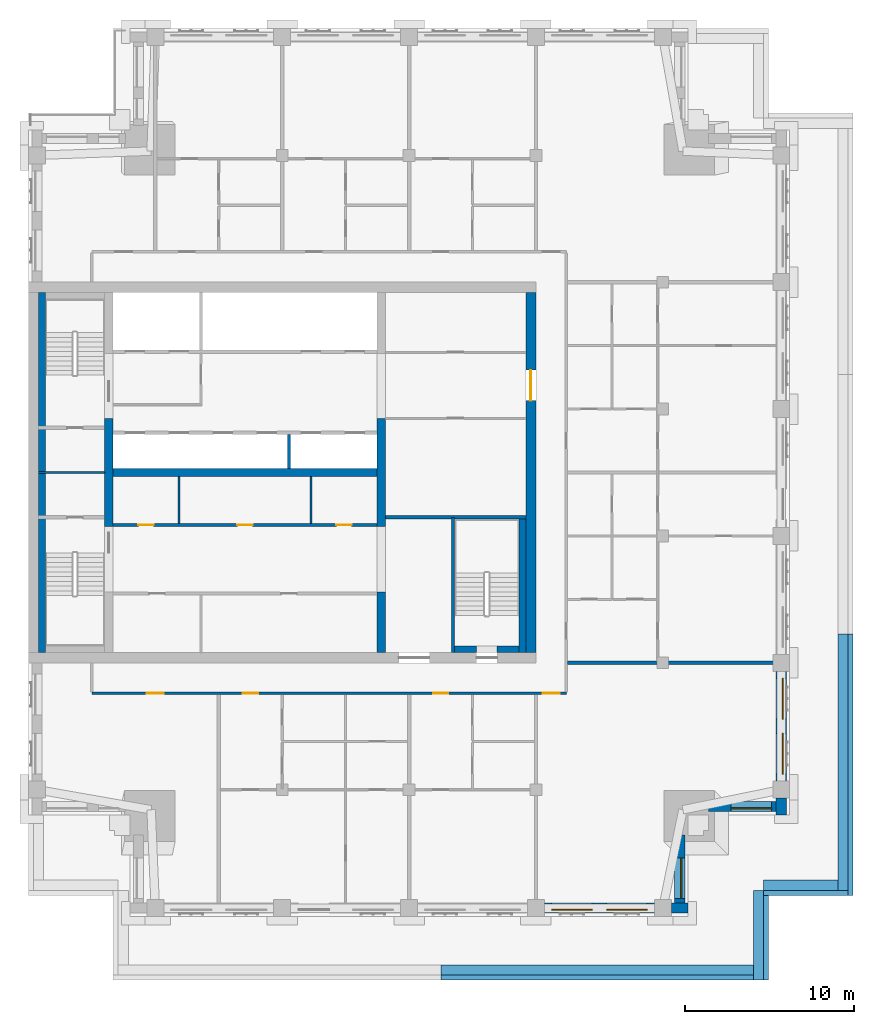
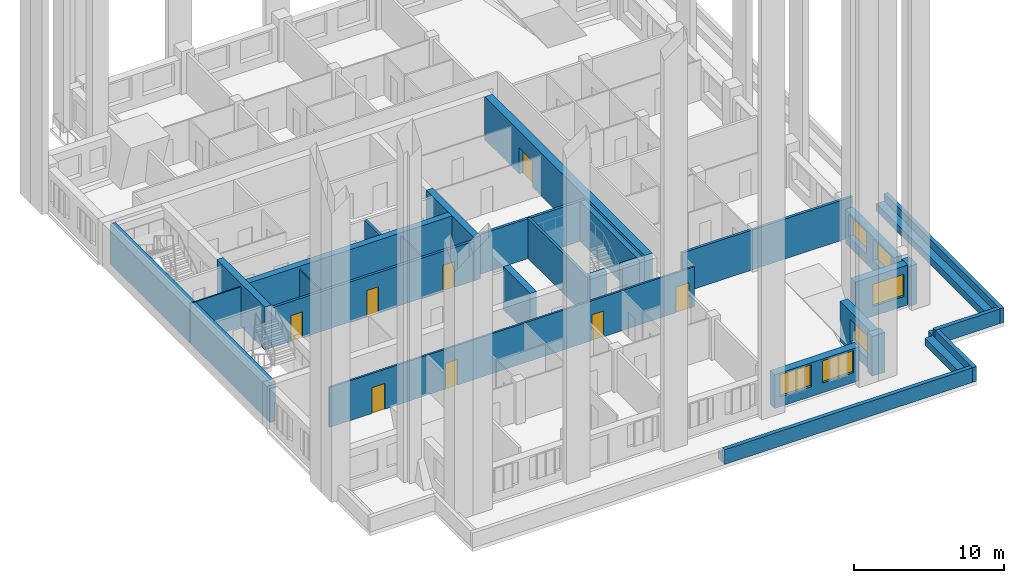
# One storey, part 4 of 12: 32 walls, 8 doors, 6 windows, 14 openings.
"""IFC4 building model written with IfcOpenShell, lengths in metres."""

from ifc_helpers import new_model, si_unit, direction, frame, frame_2d, origin, place, context, subcontext, project, spatial, rectangle, extrude, material, layer, layer_set, type_object, element, fill, save


model = new_model("IFC4")

# Units and contexts
model_context = context("Model", 3, precision=1e-05, world=origin(), true_north=direction((0.0, 1.0)))
body_context = subcontext(model_context, "Body", "Model", "MODEL_VIEW")
ifc_project = project(units=[si_unit("LENGTHUNIT", "METRE"), si_unit("AREAUNIT", "SQUARE_METRE"), si_unit("VOLUMEUNIT", "CUBIC_METRE"), si_unit("PLANEANGLEUNIT", "RADIAN"), si_unit("MASSUNIT", "GRAM", prefix="KILO")], contexts=[model_context])

# Site, building, storey
site_placement = place(None, origin())
site = spatial("IfcSite", under=ifc_project, at=site_placement, CompositionType="ELEMENT")
building_placement = place(site_placement, origin())
building = spatial("IfcBuilding", under=site, at=building_placement, Name="Tamorin Gate", CompositionType="ELEMENT")
storey_placement = place(building_placement, frame((0.0, 0.0, 266.199951171875)))
storey = spatial("IfcBuildingStorey", under=building, at=storey_placement, Name="L66", CompositionType="ELEMENT", Elevation=266.199951171875)

# Wall, openings, windows
ifc_material_1 = material(Name="Precast concrete C40/50", Category="concrete")
ifc_layer_1 = layer(ifc_material_1, 0.60009765625)
ifc_layer_set_1 = layer_set([ifc_layer_1], Name="Precast concrete C40/50")
wall_type_1 = type_object("IfcWallType", Name="Board-marked concrete facade panel 600", PredefinedType="SOLIDWALL", material=ifc_layer_set_1)
wall_1_placement = place(storey_placement, frame((60.5, 45.5, 0.0), z_axis=(0.0, 0.0, 1.0), x_axis=(1.0, 0.0, 0.0)))
wall_1 = element("IfcWall", 1, at=wall_1_placement, inside=storey, type_object=wall_type_1, Name="Facade panel", PredefinedType="SOLIDWALL", context=body_context, shape_type="SweptSolid", body=[
    extrude(rectangle(XDim=6.5, YDim=0.60009765625, at=frame_2d((3.25, 0.0))), origin(), (0.0, 0.0, 1.0), 2.75),
])
opening_1_placement = place(wall_1_placement, frame((0.425048828125, 0.0, 0.800048828125)))
opening_1 = element("IfcOpeningElement", 2, at=opening_1_placement, cuts=wall_1, Name="Opening WN1", PredefinedType="OPENING", context=body_context, shape_type="SweptSolid", body=[
    extrude(rectangle(XDim=2.39990234375, YDim=1.800048828125, at=frame_2d((1.199951171875, 0.89990234375))), frame((0.0, 0.31005859375, 0.0), z_axis=(0.0, -1.0, 0.0), x_axis=(1.0, 0.0, 0.0)), (0.0, 0.0, 1.0), 0.6201171875),
])
opening_2_placement = place(wall_1_placement, frame((3.675048828125, 0.0, 0.800048828125)))
opening_2 = element("IfcOpeningElement", 3, at=opening_2_placement, cuts=wall_1, Name="Opening WN1", PredefinedType="OPENING", context=body_context, shape_type="SweptSolid", body=[
    extrude(rectangle(XDim=2.39990234375, YDim=1.800048828125, at=frame_2d((1.199951171875, 0.89990234375))), frame((0.0, 0.31005859375, 0.0), z_axis=(0.0, -1.0, 0.0), x_axis=(1.0, 0.0, 0.0)), (0.0, 0.0, 1.0), 0.6201171875),
])
ifc_material_2 = material(Name="Clear glass in aluminium frame", Category="aluminium")
window_type = type_object("IfcWindowType", Name="Deep-set window 2400x1800", PartitioningType="SINGLE_PANEL", PredefinedType="WINDOW", material=ifc_material_2)
window_1_placement = place(opening_1_placement, origin())
window_1 = element("IfcWindow", 4, at=window_1_placement, inside=storey, type_object=window_type, Name="Deep-set window", OverallHeight=1.800048828125, OverallWidth=2.39990234375, PartitioningType="SINGLE_PANEL", PredefinedType="WINDOW", context=body_context, shape_type="SweptSolid", body=[
    extrude(rectangle(XDim=2.39990234375, YDim=1.800048828125, at=frame_2d((1.199951171875, 0.89990234375))), frame((0.0, -0.070068359375, 0.0), z_axis=(0.0, -1.0, 0.0), x_axis=(1.0, 0.0, 0.0)), (0.0, 0.0, 1.0), 0.06005859375),
])
fill(opening_1, window_1)
window_2_placement = place(opening_2_placement, origin())
window_2 = element("IfcWindow", 5, at=window_2_placement, inside=storey, type_object=window_type, Name="Deep-set window", OverallHeight=1.800048828125, OverallWidth=2.39990234375, PartitioningType="SINGLE_PANEL", PredefinedType="WINDOW", context=body_context, shape_type="SweptSolid", body=[
    extrude(rectangle(XDim=2.39990234375, YDim=1.800048828125, at=frame_2d((1.199951171875, 0.89990234375))), frame((0.0, -0.070068359375, 0.0), z_axis=(0.0, -1.0, 0.0), x_axis=(1.0, 0.0, 0.0)), (0.0, 0.0, 1.0), 0.06005859375),
])
fill(opening_2, window_2)

# Wall
wall_2_placement = place(storey_placement, frame((68.0, 45.5, 0.0), z_axis=(0.0, 0.0, 1.0), x_axis=(1.0, 0.0, 0.0)))
element("IfcWall", 6, at=wall_2_placement, inside=storey, type_object=wall_type_1, Name="Facade panel", PredefinedType="SOLIDWALL", context=body_context, shape_type="SweptSolid", body=[
    extrude(rectangle(XDim=1.0, YDim=0.60009765625, at=frame_2d((0.5, 0.0))), origin(), (0.0, 0.0, 1.0), 3.25),
])

# Wall, opening, window
wall_3_placement = place(storey_placement, frame((68.5, 45.800048828125, 0.0), z_axis=(0.0, 0.0, 1.0), x_axis=(0.0, 1.0, 0.0)))
wall_3 = element("IfcWall", 7, at=wall_3_placement, inside=storey, type_object=wall_type_1, Name="Facade panel", PredefinedType="SOLIDWALL", context=body_context, shape_type="SweptSolid", body=[
    extrude(rectangle(XDim=4.012451171875, YDim=0.60009765625, at=frame_2d((2.00634765625, 0.0))), origin(), (0.0, 0.0, 1.0), 3.25),
])
opening_3_placement = place(wall_3_placement, frame((0.27490234375, 0.0, 0.800048828125)))
opening_3 = element("IfcOpeningElement", 8, at=opening_3_placement, cuts=wall_3, Name="Opening WN1", PredefinedType="OPENING", context=body_context, shape_type="SweptSolid", body=[
    extrude(rectangle(XDim=2.39990234375, YDim=1.800048828125, at=frame_2d((1.199951171875, 0.89990234375))), frame((0.0, 0.31005859375, 0.0), z_axis=(0.0, -1.0, 0.0), x_axis=(1.0, 0.0, 0.0)), (0.0, 0.0, 1.0), 0.6201171875),
])
window_3_placement = place(opening_3_placement, origin())
window_3 = element("IfcWindow", 9, at=window_3_placement, inside=storey, type_object=window_type, Name="Deep-set window", OverallHeight=1.800048828125, OverallWidth=2.39990234375, PartitioningType="SINGLE_PANEL", PredefinedType="WINDOW", context=body_context, shape_type="SweptSolid", body=[
    extrude(rectangle(XDim=2.39990234375, YDim=1.800048828125, at=frame_2d((1.199951171875, 0.89990234375))), frame((0.0, -0.070068359375, 0.0), z_axis=(0.0, -1.0, 0.0), x_axis=(1.0, 0.0, 0.0)), (0.0, 0.0, 1.0), 0.06005859375),
])
fill(opening_3, window_3)

wall_4_placement = place(storey_placement, frame((70.1875, 51.5, 0.0), z_axis=(0.0, 0.0, 1.0), x_axis=(1.0, 0.0, 0.0)))
wall_4 = element("IfcWall", 10, at=wall_4_placement, inside=storey, type_object=wall_type_1, Name="Facade panel", PredefinedType="SOLIDWALL", context=body_context, shape_type="SweptSolid", body=[
    extrude(rectangle(XDim=4.012451171875, YDim=0.60009765625, at=frame_2d((2.00634765625, 0.0))), origin(), (0.0, 0.0, 1.0), 3.25),
])
opening_4_placement = place(wall_4_placement, frame((1.33740234375, 0.0, 0.800048828125)))
opening_4 = element("IfcOpeningElement", 11, at=opening_4_placement, cuts=wall_4, Name="Opening WN1", PredefinedType="OPENING", context=body_context, shape_type="SweptSolid", body=[
    extrude(rectangle(XDim=2.39990234375, YDim=1.800048828125, at=frame_2d((1.199951171875, 0.89990234375))), frame((0.0, 0.31005859375, 0.0), z_axis=(0.0, -1.0, 0.0), x_axis=(1.0, 0.0, 0.0)), (0.0, 0.0, 1.0), 0.6201171875),
])
window_4_placement = place(opening_4_placement, origin())
window_4 = element("IfcWindow", 12, at=window_4_placement, inside=storey, type_object=window_type, Name="Deep-set window", OverallHeight=1.800048828125, OverallWidth=2.39990234375, PartitioningType="SINGLE_PANEL", PredefinedType="WINDOW", context=body_context, shape_type="SweptSolid", body=[
    extrude(rectangle(XDim=2.39990234375, YDim=1.800048828125, at=frame_2d((1.199951171875, 0.89990234375))), frame((0.0, -0.070068359375, 0.0), z_axis=(0.0, -1.0, 0.0), x_axis=(1.0, 0.0, 0.0)), (0.0, 0.0, 1.0), 0.06005859375),
])
fill(opening_4, window_4)

# Wall
wall_5_placement = place(storey_placement, frame((74.5, 51.0, 0.0), z_axis=(0.0, 0.0, 1.0), x_axis=(0.0, 1.0, 0.0)))
element("IfcWall", 13, at=wall_5_placement, inside=storey, type_object=wall_type_1, Name="Facade panel", PredefinedType="SOLIDWALL", context=body_context, shape_type="SweptSolid", body=[
    extrude(rectangle(XDim=1.0, YDim=0.60009765625, at=frame_2d((0.5, 0.0))), origin(), (0.0, 0.0, 1.0), 3.25),
])

# Wall, openings, windows
wall_6_placement = place(storey_placement, frame((74.5, 53.0, 0.0), z_axis=(0.0, 0.0, 1.0), x_axis=(0.0, 1.0, 0.0)))
wall_6 = element("IfcWall", 14, at=wall_6_placement, inside=storey, type_object=wall_type_1, Name="Facade panel", PredefinedType="SOLIDWALL", context=body_context, shape_type="SweptSolid", body=[
    extrude(rectangle(XDim=6.5, YDim=0.60009765625, at=frame_2d((3.25, 0.0))), origin(), (0.0, 0.0, 1.0), 2.75),
])
opening_5_placement = place(wall_6_placement, frame((0.425048828125, 0.0, 0.800048828125)))
opening_5 = element("IfcOpeningElement", 15, at=opening_5_placement, cuts=wall_6, Name="Opening WN1", PredefinedType="OPENING", context=body_context, shape_type="SweptSolid", body=[
    extrude(rectangle(XDim=2.39990234375, YDim=1.800048828125, at=frame_2d((1.199951171875, 0.89990234375))), frame((0.0, 0.31005859375, 0.0), z_axis=(0.0, -1.0, 0.0), x_axis=(1.0, 0.0, 0.0)), (0.0, 0.0, 1.0), 0.6201171875),
])
opening_6_placement = place(wall_6_placement, frame((3.675048828125, 0.0, 0.800048828125)))
opening_6 = element("IfcOpeningElement", 16, at=opening_6_placement, cuts=wall_6, Name="Opening WN1", PredefinedType="OPENING", context=body_context, shape_type="SweptSolid", body=[
    extrude(rectangle(XDim=2.39990234375, YDim=1.800048828125, at=frame_2d((1.199951171875, 0.89990234375))), frame((0.0, 0.31005859375, 0.0), z_axis=(0.0, -1.0, 0.0), x_axis=(1.0, 0.0, 0.0)), (0.0, 0.0, 1.0), 0.6201171875),
])
window_5_placement = place(opening_5_placement, origin())
window_5 = element("IfcWindow", 17, at=window_5_placement, inside=storey, type_object=window_type, Name="Deep-set window", OverallHeight=1.800048828125, OverallWidth=2.39990234375, PartitioningType="SINGLE_PANEL", PredefinedType="WINDOW", context=body_context, shape_type="SweptSolid", body=[
    extrude(rectangle(XDim=2.39990234375, YDim=1.800048828125, at=frame_2d((1.199951171875, 0.89990234375))), frame((0.0, -0.070068359375, 0.0), z_axis=(0.0, -1.0, 0.0), x_axis=(1.0, 0.0, 0.0)), (0.0, 0.0, 1.0), 0.06005859375),
])
fill(opening_5, window_5)
window_6_placement = place(opening_6_placement, origin())
window_6 = element("IfcWindow", 18, at=window_6_placement, inside=storey, type_object=window_type, Name="Deep-set window", OverallHeight=1.800048828125, OverallWidth=2.39990234375, PartitioningType="SINGLE_PANEL", PredefinedType="WINDOW", context=body_context, shape_type="SweptSolid", body=[
    extrude(rectangle(XDim=2.39990234375, YDim=1.800048828125, at=frame_2d((1.199951171875, 0.89990234375))), frame((0.0, -0.070068359375, 0.0), z_axis=(0.0, -1.0, 0.0), x_axis=(1.0, 0.0, 0.0)), (0.0, 0.0, 1.0), 0.06005859375),
])
fill(opening_6, window_6)

# Wall, openings, doors
ifc_material_3 = material(Name="Gypsum board partition")
ifc_layer_2 = layer(ifc_material_3, 0.14990234375)
ifc_layer_set_2 = layer_set([ifc_layer_2], Name="Corridor wall 150")
wall_type_2 = type_object("IfcWallType", Name="Corridor wall 150", PredefinedType="PARTITIONING", material=ifc_layer_set_2)
wall_7_placement = place(storey_placement, frame((33.75, 58.199951171875, 0.0), z_axis=(0.0, 0.0, 1.0), x_axis=(1.0, 0.0, 0.0)))
wall_7 = element("IfcWall", 19, at=wall_7_placement, inside=storey, type_object=wall_type_2, Name="Corridor wall 150", PredefinedType="PARTITIONING", context=body_context, shape_type="SweptSolid", body=[
    extrude(rectangle(XDim=28.050048828125, YDim=0.14990234375, at=frame_2d((14.02490234375, 0.0))), origin(), (0.0, 0.0, 1.0), 3.25),
])
opening_7_placement = place(wall_7_placement, frame((3.25, 0.0, 0.0)))
opening_7 = element("IfcOpeningElement", 20, at=opening_7_placement, cuts=wall_7, Name="Opening DTF6001", PredefinedType="OPENING", context=body_context, shape_type="SweptSolid", body=[
    extrude(rectangle(XDim=1.0, YDim=2.10009765625, at=frame_2d((0.5, 1.050048828125))), frame((0.0, 0.0849609375, 0.0), z_axis=(0.0, -1.0, 0.0), x_axis=(1.0, 0.0, 0.0)), (0.0, 0.0, 1.0), 0.169921875),
])
opening_8_placement = place(wall_7_placement, frame((8.925048828125, 0.0, 0.0)))
opening_8 = element("IfcOpeningElement", 21, at=opening_8_placement, cuts=wall_7, Name="Opening DTF6002", PredefinedType="OPENING", context=body_context, shape_type="SweptSolid", body=[
    extrude(rectangle(XDim=0.89990234375, YDim=2.10009765625, at=frame_2d((0.449951171875, 1.050048828125))), frame((0.0, 0.0849609375, 0.0), z_axis=(0.0, -1.0, 0.0), x_axis=(1.0, 0.0, 0.0)), (0.0, 0.0, 1.0), 0.169921875),
])
opening_9_placement = place(wall_7_placement, frame((20.175048828125, 0.0, 0.0)))
opening_9 = element("IfcOpeningElement", 22, at=opening_9_placement, cuts=wall_7, Name="Opening DTF6009", PredefinedType="OPENING", context=body_context, shape_type="SweptSolid", body=[
    extrude(rectangle(XDim=0.89990234375, YDim=2.10009765625, at=frame_2d((0.449951171875, 1.050048828125))), frame((0.0, 0.0849609375, 0.0), z_axis=(0.0, -1.0, 0.0), x_axis=(1.0, 0.0, 0.0)), (0.0, 0.0, 1.0), 0.169921875),
])
opening_10_placement = place(wall_7_placement, frame((26.64990234375, 0.0, 0.0)))
opening_10 = element("IfcOpeningElement", 23, at=opening_10_placement, cuts=wall_7, Name="Opening DTF6013", PredefinedType="OPENING", context=body_context, shape_type="SweptSolid", body=[
    extrude(rectangle(XDim=1.0, YDim=2.10009765625, at=frame_2d((0.5, 1.050048828125))), frame((0.0, 0.0849609375, 0.0), z_axis=(0.0, -1.0, 0.0), x_axis=(1.0, 0.0, 0.0)), (0.0, 0.0, 1.0), 0.169921875),
])
ifc_material_4 = material(Name="Timber door leaf", Category="wood")
door_type_1 = type_object("IfcDoorType", Name="Door 1000 x 2100 FD30S", OperationType="NOTDEFINED", PredefinedType="DOOR", material=ifc_material_4)
door_1_placement = place(opening_7_placement, origin())
door_1 = element("IfcDoor", 24, at=door_1_placement, inside=storey, type_object=door_type_1, Name="Door DTF6001", OperationType="SINGLE_SWING_RIGHT", OverallHeight=2.10009765625, OverallWidth=1.0, PredefinedType="DOOR", context=body_context, shape_type="SweptSolid", body=[
    extrude(rectangle(XDim=1.0, YDim=2.10009765625, at=frame_2d((0.5, 1.050048828125))), frame((0.0, 0.02490234375, 0.0), z_axis=(0.0, -1.0, 0.0), x_axis=(1.0, 0.0, 0.0)), (0.0, 0.0, 1.0), 0.050048828125),
])
fill(opening_7, door_1)
door_2_placement = place(opening_10_placement, origin())
door_2 = element("IfcDoor", 25, at=door_2_placement, inside=storey, type_object=door_type_1, Name="Door DTF6013", OperationType="SINGLE_SWING_RIGHT", OverallHeight=2.10009765625, OverallWidth=1.0, PredefinedType="DOOR", context=body_context, shape_type="SweptSolid", body=[
    extrude(rectangle(XDim=1.0, YDim=2.10009765625, at=frame_2d((0.5, 1.050048828125))), frame((0.0, 0.02490234375, 0.0), z_axis=(0.0, -1.0, 0.0), x_axis=(1.0, 0.0, 0.0)), (0.0, 0.0, 1.0), 0.050048828125),
])
fill(opening_10, door_2)
door_type_2 = type_object("IfcDoorType", Name="Door 900 x 2100 FD30S", OperationType="NOTDEFINED", PredefinedType="DOOR", material=ifc_material_4)
door_3_placement = place(opening_8_placement, origin())
door_3 = element("IfcDoor", 26, at=door_3_placement, inside=storey, type_object=door_type_2, Name="Door DTF6002", OperationType="SINGLE_SWING_RIGHT", OverallHeight=2.10009765625, OverallWidth=0.89990234375, PredefinedType="DOOR", context=body_context, shape_type="SweptSolid", body=[
    extrude(rectangle(XDim=0.89990234375, YDim=2.10009765625, at=frame_2d((0.449951171875, 1.050048828125))), frame((0.0, 0.02490234375, 0.0), z_axis=(0.0, -1.0, 0.0), x_axis=(1.0, 0.0, 0.0)), (0.0, 0.0, 1.0), 0.050048828125),
])
fill(opening_8, door_3)
door_4_placement = place(opening_9_placement, origin())
door_4 = element("IfcDoor", 27, at=door_4_placement, inside=storey, type_object=door_type_2, Name="Door DTF6009", OperationType="SINGLE_SWING_RIGHT", OverallHeight=2.10009765625, OverallWidth=0.89990234375, PredefinedType="DOOR", context=body_context, shape_type="SweptSolid", body=[
    extrude(rectangle(XDim=0.89990234375, YDim=2.10009765625, at=frame_2d((0.449951171875, 1.050048828125))), frame((0.0, 0.02490234375, 0.0), z_axis=(0.0, -1.0, 0.0), x_axis=(1.0, 0.0, 0.0)), (0.0, 0.0, 1.0), 0.050048828125),
])
fill(opening_9, door_4)

# Walls
ifc_layer_3 = layer(ifc_material_3, 0.199951171875)
ifc_layer_set_3 = layer_set([ifc_layer_3], Name="Demising wall 200")
wall_type_3 = type_object("IfcWallType", Name="Demising wall 200", PredefinedType="PARTITIONING", material=ifc_layer_set_3)
wall_8_placement = place(storey_placement, frame((61.875, 60.0, 0.0), z_axis=(0.0, 0.0, 1.0), x_axis=(1.0, 0.0, 0.0)))
element("IfcWall", 28, at=wall_8_placement, inside=storey, type_object=wall_type_3, Name="Demising wall 200", PredefinedType="PARTITIONING", context=body_context, shape_type="SweptSolid", body=[
    extrude(rectangle(XDim=13.125, YDim=0.199951171875, at=frame_2d((6.5625, 0.0))), origin(), (0.0, 0.0, 1.0), 3.25),
])
ifc_material_5 = material(Name="Concrete C32/40", Category="concrete")
ifc_layer_4 = layer(ifc_material_5, 0.199951171875)
ifc_layer_set_4 = layer_set([ifc_layer_4], Name="Lift shaft wall 200 EI 120")
wall_type_4 = type_object("IfcWallType", Name="Lift shaft wall 200 EI 120", PredefinedType="SOLIDWALL", material=ifc_layer_set_4)
wall_9_placement = place(storey_placement, frame((45.39990234375, 71.5, 0.0), z_axis=(0.0, 0.0, 1.0), x_axis=(0.0, 1.0, 0.0)))
element("IfcWall", 29, at=wall_9_placement, inside=storey, type_object=wall_type_4, Name="Lift shaft wall", PredefinedType="SOLIDWALL", context=body_context, shape_type="SweptSolid", body=[
    extrude(rectangle(XDim=2.0, YDim=0.199951171875, at=frame_2d((1.0, 0.0))), origin(), (0.0, 0.0, 1.0), 3.5),
])
ifc_material_6 = material(Name="Concrete C50/60", Category="concrete")
ifc_layer_5 = layer(ifc_material_6, 0.5)
ifc_layer_set_5 = layer_set([ifc_layer_5], Name="RC core internal wall 500 C50/60")
wall_type_5 = type_object("IfcWallType", Name="RC core internal wall 500 C50/60", PredefinedType="SHEAR", material=ifc_layer_set_5)
wall_10_placement = place(storey_placement, frame((35.0, 71.25, 0.0), z_axis=(0.0, 0.0, 1.0), x_axis=(1.0, 0.0, 0.0)))
element("IfcWall", 30, at=wall_10_placement, inside=storey, type_object=wall_type_5, Name="Core spine wall L66", PredefinedType="SHEAR", context=body_context, shape_type="SweptSolid", body=[
    extrude(rectangle(XDim=15.60009765625, YDim=0.5, at=frame_2d((7.800048828125, 0.0))), origin(), (0.0, 0.0, 1.0), 3.5),
])
wall_11_placement = place(storey_placement, frame((34.75, 68.050048828125, 0.0), z_axis=(0.0, 0.0, 1.0), x_axis=(0.0, 1.0, 0.0)))
element("IfcWall", 31, at=wall_11_placement, inside=storey, type_object=wall_type_5, Name="Core cross wall L66", PredefinedType="SHEAR", context=body_context, shape_type="SweptSolid", body=[
    extrude(rectangle(XDim=6.39990234375, YDim=0.5, at=frame_2d((3.199951171875, 0.0))), origin(), (0.0, 0.0, 1.0), 3.5),
])
wall_12_placement = place(storey_placement, frame((50.85009765625, 60.60009765625, 0.0), z_axis=(0.0, 0.0, 1.0), x_axis=(0.0, 1.0, 0.0)))
element("IfcWall", 32, at=wall_12_placement, inside=storey, type_object=wall_type_5, Name="Core cross wall L66", PredefinedType="SHEAR", context=body_context, shape_type="SweptSolid", body=[
    extrude(rectangle(XDim=3.599853515625, YDim=0.5, at=frame_2d((1.7998046875, 0.0))), origin(), (0.0, 0.0, 1.0), 3.5),
])
wall_13_placement = place(storey_placement, frame((50.85009765625, 68.050048828125, 0.0), z_axis=(0.0, 0.0, 1.0), x_axis=(0.0, 1.0, 0.0)))
element("IfcWall", 33, at=wall_13_placement, inside=storey, type_object=wall_type_5, Name="Core cross wall L66", PredefinedType="SHEAR", context=body_context, shape_type="SweptSolid", body=[
    extrude(rectangle(XDim=6.39990234375, YDim=0.5, at=frame_2d((3.199951171875, 0.0))), origin(), (0.0, 0.0, 1.0), 3.5),
])

# Wall, opening, door
ifc_layer_6 = layer(ifc_material_6, 0.60009765625)
ifc_layer_set_6 = layer_set([ifc_layer_6], Name="RC core wall 600 C50/60")
wall_type_6 = type_object("IfcWallType", Name="RC core wall 600 C50/60", PredefinedType="SHEAR", material=ifc_layer_set_6)
wall_14_placement = place(storey_placement, frame((59.699951171875, 60.60009765625, 0.0), z_axis=(0.0, 0.0, 1.0), x_axis=(0.0, 1.0, 0.0)))
wall_14 = element("IfcWall", 34, at=wall_14_placement, inside=storey, type_object=wall_type_6, Name="Core wall L66", PredefinedType="SHEAR", context=body_context, shape_type="SweptSolid", body=[
    extrude(rectangle(XDim=21.2998046875, YDim=0.60009765625, at=frame_2d((10.64990234375, 0.0))), origin(), (0.0, 0.0, 1.0), 3.5),
])
opening_11_placement = place(wall_14_placement, frame((14.89990234375, 0.0, 0.0)))
opening_11 = element("IfcOpeningElement", 35, at=opening_11_placement, cuts=wall_14, Name="Opening DE1", PredefinedType="OPENING", context=body_context, shape_type="SweptSolid", body=[
    extrude(rectangle(XDim=1.800048828125, YDim=2.10009765625, at=frame_2d((0.89990234375, 1.050048828125))), frame((0.0, 0.31005859375, 0.0), z_axis=(0.0, -1.0, 0.0), x_axis=(1.0, 0.0, 0.0)), (0.0, 0.0, 1.0), 0.6201171875),
])
ifc_material_7 = material(Name="Steel fire door", Category="steel")
door_type_3 = type_object("IfcDoorType", Name="Lobby exit double door 1800 x 2100 EI 60", OperationType="DOUBLE_DOOR_SINGLE_SWING", PredefinedType="DOOR", material=ifc_material_7)
door_5_placement = place(opening_11_placement, origin())
door_5 = element("IfcDoor", 36, at=door_5_placement, inside=storey, type_object=door_type_3, Name="Lift lobby B exit door", OperationType="DOUBLE_DOOR_SINGLE_SWING", OverallHeight=2.10009765625, OverallWidth=1.800048828125, PredefinedType="DOOR", context=body_context, shape_type="SweptSolid", body=[
    extrude(rectangle(XDim=1.800048828125, YDim=2.10009765625, at=frame_2d((0.89990234375, 1.050048828125))), frame((0.0, 0.02490234375, 0.0), z_axis=(0.0, -1.0, 0.0), x_axis=(1.0, 0.0, 0.0)), (0.0, 0.0, 1.0), 0.050048828125),
])
fill(opening_11, door_5)

# Wall
ifc_material_8 = material(Name="Fire-rated gypsum board partition")
ifc_layer_7 = layer(ifc_material_8, 0.10009765625)
ifc_layer_set_7 = layer_set([ifc_layer_7], Name="Riser partition 100 EI 120")
wall_type_7 = type_object("IfcWallType", Name="Riser partition 100 EI 120", PredefinedType="PARTITIONING", material=ifc_layer_set_7)
wall_15_placement = place(storey_placement, frame((30.60009765625, 71.25, 0.0), z_axis=(0.0, 0.0, 1.0), x_axis=(1.0, 0.0, 0.0)))
element("IfcWall", 37, at=wall_15_placement, inside=storey, type_object=wall_type_7, Name="Riser partition", PredefinedType="PARTITIONING", context=body_context, shape_type="SweptSolid", body=[
    extrude(rectangle(XDim=3.89990234375, YDim=0.10009765625, at=frame_2d((1.949951171875, 0.0))), origin(), (0.0, 0.0, 1.0), 3.25),
])

# Wall, openings, doors
ifc_layer_8 = layer(ifc_material_3, 0.199951171875)
ifc_layer_set_8 = layer_set([ifc_layer_8], Name="Service room face wall 200 EI 60")
wall_type_8 = type_object("IfcWallType", Name="Service room face wall 200 EI 60", PredefinedType="PARTITIONING", material=ifc_layer_set_8)
wall_16_placement = place(storey_placement, frame((35.0, 68.14990234375, 0.0), z_axis=(0.0, 0.0, 1.0), x_axis=(1.0, 0.0, 0.0)))
wall_16 = element("IfcWall", 38, at=wall_16_placement, inside=storey, type_object=wall_type_8, Name="Service room face wall", PredefinedType="PARTITIONING", context=body_context, shape_type="SweptSolid", body=[
    extrude(rectangle(XDim=15.60009765625, YDim=0.199951171875, at=frame_2d((7.800048828125, 0.0))), origin(), (0.0, 0.0, 1.0), 3.25),
])
opening_12_placement = place(wall_16_placement, frame((1.5, 0.0, 0.0)))
opening_12 = element("IfcOpeningElement", 39, at=opening_12_placement, cuts=wall_16, Name="Opening DK1", PredefinedType="OPENING", context=body_context, shape_type="SweptSolid", body=[
    extrude(rectangle(XDim=0.89990234375, YDim=2.10009765625, at=frame_2d((0.449951171875, 1.050048828125))), frame((0.0, 0.10986328125, 0.0), z_axis=(0.0, -1.0, 0.0), x_axis=(1.0, 0.0, 0.0)), (0.0, 0.0, 1.0), 0.219970703125),
])
opening_13_placement = place(wall_16_placement, frame((7.35009765625, 0.0, 0.0)))
opening_13 = element("IfcOpeningElement", 40, at=opening_13_placement, cuts=wall_16, Name="Opening DK1", PredefinedType="OPENING", context=body_context, shape_type="SweptSolid", body=[
    extrude(rectangle(XDim=0.89990234375, YDim=2.10009765625, at=frame_2d((0.449951171875, 1.050048828125))), frame((0.0, 0.10986328125, 0.0), z_axis=(0.0, -1.0, 0.0), x_axis=(1.0, 0.0, 0.0)), (0.0, 0.0, 1.0), 0.219970703125),
])
opening_14_placement = place(wall_16_placement, frame((13.199951171875, 0.0, 0.0)))
opening_14 = element("IfcOpeningElement", 41, at=opening_14_placement, cuts=wall_16, Name="Opening DK1", PredefinedType="OPENING", context=body_context, shape_type="SweptSolid", body=[
    extrude(rectangle(XDim=0.89990234375, YDim=2.10009765625, at=frame_2d((0.449951171875, 1.050048828125))), frame((0.0, 0.10986328125, 0.0), z_axis=(0.0, -1.0, 0.0), x_axis=(1.0, 0.0, 0.0)), (0.0, 0.0, 1.0), 0.219970703125),
])
ifc_material_9 = material(Name="Timber fire door", Category="wood")
door_type_4 = type_object("IfcDoorType", Name="Service room door 900 x 2100 EI 60", OperationType="SINGLE_SWING_LEFT", PredefinedType="DOOR", material=ifc_material_9)
door_6_placement = place(opening_12_placement, origin())
door_6 = element("IfcDoor", 42, at=door_6_placement, inside=storey, type_object=door_type_4, Name="Door Cleaner's store", OperationType="SINGLE_SWING_RIGHT", OverallHeight=2.10009765625, OverallWidth=0.89990234375, PredefinedType="DOOR", context=body_context, shape_type="SweptSolid", body=[
    extrude(rectangle(XDim=0.89990234375, YDim=2.10009765625, at=frame_2d((0.449951171875, 1.050048828125))), frame((0.0, 0.02490234375, 0.0), z_axis=(0.0, -1.0, 0.0), x_axis=(1.0, 0.0, 0.0)), (0.0, 0.0, 1.0), 0.050048828125),
])
fill(opening_12, door_6)
door_7_placement = place(opening_13_placement, origin())
door_7 = element("IfcDoor", 43, at=door_7_placement, inside=storey, type_object=door_type_4, Name="Door Electrical and IT room", OperationType="SINGLE_SWING_LEFT", OverallHeight=2.10009765625, OverallWidth=0.89990234375, PredefinedType="DOOR", context=body_context, shape_type="SweptSolid", body=[
    extrude(rectangle(XDim=0.89990234375, YDim=2.10009765625, at=frame_2d((0.449951171875, 1.050048828125))), frame((0.0, 0.02490234375, 0.0), z_axis=(0.0, -1.0, 0.0), x_axis=(1.0, 0.0, 0.0)), (0.0, 0.0, 1.0), 0.050048828125),
])
fill(opening_13, door_7)
door_8_placement = place(opening_14_placement, origin())
door_8 = element("IfcDoor", 44, at=door_8_placement, inside=storey, type_object=door_type_4, Name="Door Linen store", OperationType="SINGLE_SWING_RIGHT", OverallHeight=2.10009765625, OverallWidth=0.89990234375, PredefinedType="DOOR", context=body_context, shape_type="SweptSolid", body=[
    extrude(rectangle(XDim=0.89990234375, YDim=2.10009765625, at=frame_2d((0.449951171875, 1.050048828125))), frame((0.0, 0.02490234375, 0.0), z_axis=(0.0, -1.0, 0.0), x_axis=(1.0, 0.0, 0.0)), (0.0, 0.0, 1.0), 0.050048828125),
])
fill(opening_14, door_8)

# Walls
ifc_layer_9 = layer(ifc_material_3, 0.10009765625)
ifc_layer_set_9 = layer_set([ifc_layer_9], Name="Service room partition 100 EI 60")
wall_type_9 = type_object("IfcWallType", Name="Service room partition 100 EI 60", PredefinedType="PARTITIONING", material=ifc_layer_set_9)
for number, where, z_axis, x_axis, name in (
    (45, (38.89990234375, 68.25, 0.0), (0.0, 0.0, 1.0), (0.0, 1.0, 0.0), "Service room partition"),
    (46, (46.699951171875, 68.25, 0.0), (0.0, 0.0, 1.0), (0.0, 1.0, 0.0), "Service room partition"),
):
    element("IfcWall", number, at=place(storey_placement, frame(where, z_axis=z_axis, x_axis=x_axis)), inside=storey, type_object=wall_type_9, Name=name, PredefinedType="PARTITIONING", context=body_context, shape_type="SweptSolid", body=[
        extrude(rectangle(XDim=2.75, YDim=0.10009765625, at=frame_2d((1.375, 0.0))), origin(), (0.0, 0.0, 1.0), 3.25),
    ])
ifc_material_10 = material(Name="Concrete C40/50", Category="concrete")
ifc_layer_10 = layer(ifc_material_10, 0.199951171875)
ifc_layer_set_10 = layer_set([ifc_layer_10], Name="Stair enclosure wall 200 EI 120 C40/50")
wall_type_10 = type_object("IfcWallType", Name="Stair enclosure wall 200 EI 120 C40/50", PredefinedType="SOLIDWALL", material=ifc_layer_set_10)
wall_17_placement = place(storey_placement, frame((55.10009765625, 60.60009765625, 0.0), z_axis=(0.0, 0.0, 1.0), x_axis=(0.0, 1.0, 0.0)))
element("IfcWall", 47, at=wall_17_placement, inside=storey, type_object=wall_type_10, Name="Stair enclosure wall", PredefinedType="SOLIDWALL", context=body_context, shape_type="SweptSolid", body=[
    extrude(rectangle(XDim=8.0, YDim=0.199951171875, at=frame_2d((4.0, 0.0))), origin(), (0.0, 0.0, 1.0), 3.25),
])
wall_18_placement = place(storey_placement, frame((51.10009765625, 68.60009765625, 0.0), z_axis=(0.0, 0.0, 1.0), x_axis=(1.0, 0.0, 0.0)))
element("IfcWall", 48, at=wall_18_placement, inside=storey, type_object=wall_type_10, Name="Stair enclosure wall", PredefinedType="SOLIDWALL", context=body_context, shape_type="SweptSolid", body=[
    extrude(rectangle(XDim=8.2998046875, YDim=0.199951171875, at=frame_2d((4.14990234375, 0.0))), origin(), (0.0, 0.0, 1.0), 3.25),
])
ifc_layer_11 = layer(ifc_material_6, 0.39990234375)
ifc_layer_set_11 = layer_set([ifc_layer_11], Name="Stair lining wall 400 EI 120 C50/60")
wall_type_11 = type_object("IfcWallType", Name="Stair lining wall 400 EI 120 C50/60", PredefinedType="SOLIDWALL", material=ifc_layer_set_11)
wall_19_placement = place(storey_placement, frame((30.800048828125, 60.60009765625, 0.0), z_axis=(0.0, 0.0, 1.0), x_axis=(0.0, 1.0, 0.0)))
element("IfcWall", 49, at=wall_19_placement, inside=storey, type_object=wall_type_11, Name="Stair lining wall", PredefinedType="SOLIDWALL", context=body_context, shape_type="SweptSolid", body=[
    extrude(rectangle(XDim=21.2998046875, YDim=0.39990234375, at=frame_2d((10.64990234375, 0.0))), origin(), (0.0, 0.0, 1.0), 3.25),
])
for number, where, z_axis, x_axis, name in (
    (50, (55.199951171875, 60.800048828125, 0.0), (0.0, 0.0, 1.0), (1.0, 0.0, 0.0), "Stair lining wall"),
    (51, (57.699951171875, 60.800048828125, 0.0), (0.0, 0.0, 1.0), (1.0, 0.0, 0.0), "Stair lining wall"),
):
    element("IfcWall", number, at=place(storey_placement, frame(where, z_axis=z_axis, x_axis=x_axis)), inside=storey, type_object=wall_type_11, Name=name, PredefinedType="SOLIDWALL", context=body_context, shape_type="SweptSolid", body=[
        extrude(rectangle(XDim=1.300048828125, YDim=0.39990234375, at=frame_2d((0.64990234375, 0.0))), origin(), (0.0, 0.0, 1.0), 3.25),
    ])
wall_20_placement = place(storey_placement, frame((59.199951171875, 60.60009765625, 0.0), z_axis=(0.0, 0.0, 1.0), x_axis=(0.0, 1.0, 0.0)))
element("IfcWall", 52, at=wall_20_placement, inside=storey, type_object=wall_type_11, Name="Stair lining wall", PredefinedType="SOLIDWALL", context=body_context, shape_type="SweptSolid", body=[
    extrude(rectangle(XDim=7.89990234375, YDim=0.39990234375, at=frame_2d((3.949951171875, 0.0))), origin(), (0.0, 0.0, 1.0), 3.25),
])
ifc_layer_12 = layer(ifc_material_1, 0.300048828125)
ifc_layer_set_12 = layer_set([ifc_layer_12], Name="Terrace parapet 300")
wall_type_12 = type_object("IfcWallType", Name="Terrace parapet 300", PredefinedType="PARAPET", material=ifc_layer_set_12)
wall_21_placement = place(storey_placement, frame((78.60009765625, 46.25, 0.0), z_axis=(0.0, 0.0, 1.0), x_axis=(0.0, 1.0, 0.0)))
element("IfcWall", 53, at=wall_21_placement, inside=storey, type_object=wall_type_12, Name="Terrace parapet", PredefinedType="PARAPET", context=body_context, shape_type="SweptSolid", body=[
    extrude(rectangle(XDim=15.466552734375, YDim=0.300048828125, at=frame_2d((7.7333984375, 0.0))), origin(), (0.0, 0.0, 1.0), 1.199951171875),
])
for number, where, z_axis, x_axis, name in (
    (54, (73.449951171875, 46.39990234375, 0.0), (0.0, 0.0, 1.0), (1.0, 0.0, 0.0), "Terrace parapet"),
    (55, (73.60009765625, 41.25, 0.0), (0.0, 0.0, 1.0), (0.0, 1.0, 0.0), "Terrace parapet"),
):
    element("IfcWall", number, at=place(storey_placement, frame(where, z_axis=z_axis, x_axis=x_axis)), inside=storey, type_object=wall_type_12, Name=name, PredefinedType="PARAPET", context=body_context, shape_type="SweptSolid", body=[
        extrude(rectangle(XDim=5.0, YDim=0.300048828125, at=frame_2d((2.5, 0.0))), origin(), (0.0, 0.0, 1.0), 1.199951171875),
    ])
wall_22_placement = place(storey_placement, frame((54.375, 41.39990234375, 0.0), z_axis=(0.0, 0.0, 1.0), x_axis=(1.0, 0.0, 0.0)))
element("IfcWall", 56, at=wall_22_placement, inside=storey, type_object=wall_type_12, Name="Terrace parapet", PredefinedType="PARAPET", context=body_context, shape_type="SweptSolid", body=[
    extrude(rectangle(XDim=19.074951171875, YDim=0.300048828125, at=frame_2d((9.53759765625, 0.0))), origin(), (0.0, 0.0, 1.0), 1.199951171875),
])
ifc_layer_13 = layer(ifc_material_1, 0.60009765625)
ifc_layer_set_13 = layer_set([ifc_layer_13], Name="Terrace planter wall 600")
wall_type_13 = type_object("IfcWallType", Name="Terrace planter wall 600", PredefinedType="STANDARD", material=ifc_layer_set_13)
wall_23_placement = place(storey_placement, frame((78.14990234375, 46.25, 0.0), z_axis=(0.0, 0.0, 1.0), x_axis=(0.0, 1.0, 0.0)))
element("IfcWall", 57, at=wall_23_placement, inside=storey, type_object=wall_type_13, Name="PLANTER wall", PredefinedType="STANDARD", context=body_context, shape_type="SweptSolid", body=[
    extrude(rectangle(XDim=15.466552734375, YDim=0.60009765625, at=frame_2d((7.7333984375, 0.0))), origin(), (0.0, 0.0, 1.0), 0.60009765625),
])
wall_24_placement = place(storey_placement, frame((73.449951171875, 46.85009765625, 0.0), z_axis=(0.0, 0.0, 1.0), x_axis=(1.0, 0.0, 0.0)))
element("IfcWall", 58, at=wall_24_placement, inside=storey, type_object=wall_type_13, Name="PLANTER wall", PredefinedType="STANDARD", context=body_context, shape_type="SweptSolid", body=[
    extrude(rectangle(XDim=4.400146484375, YDim=0.60009765625, at=frame_2d((2.2001953125, 0.0))), origin(), (0.0, 0.0, 1.0), 0.60009765625),
])
wall_25_placement = place(storey_placement, frame((73.14990234375, 46.550048828125, 0.0), z_axis=(0.0, 0.0, 1.0), x_axis=(0.0, -1.0, 0.0)))
element("IfcWall", 59, at=wall_25_placement, inside=storey, type_object=wall_type_13, Name="PLANTER wall", PredefinedType="STANDARD", context=body_context, shape_type="SweptSolid", body=[
    extrude(rectangle(XDim=5.300048828125, YDim=0.60009765625, at=frame_2d((2.64990234375, 0.0))), origin(), (0.0, 0.0, 1.0), 0.60009765625),
])
wall_26_placement = place(storey_placement, frame((54.375, 41.85009765625, 0.0), z_axis=(0.0, 0.0, 1.0), x_axis=(1.0, 0.0, 0.0)))
element("IfcWall", 60, at=wall_26_placement, inside=storey, type_object=wall_type_13, Name="PLANTER wall", PredefinedType="STANDARD", context=body_context, shape_type="SweptSolid", body=[
    extrude(rectangle(XDim=18.47509765625, YDim=0.60009765625, at=frame_2d((9.237548828125, 0.0))), origin(), (0.0, 0.0, 1.0), 0.60009765625),
])

save(model, "model.ifc")
